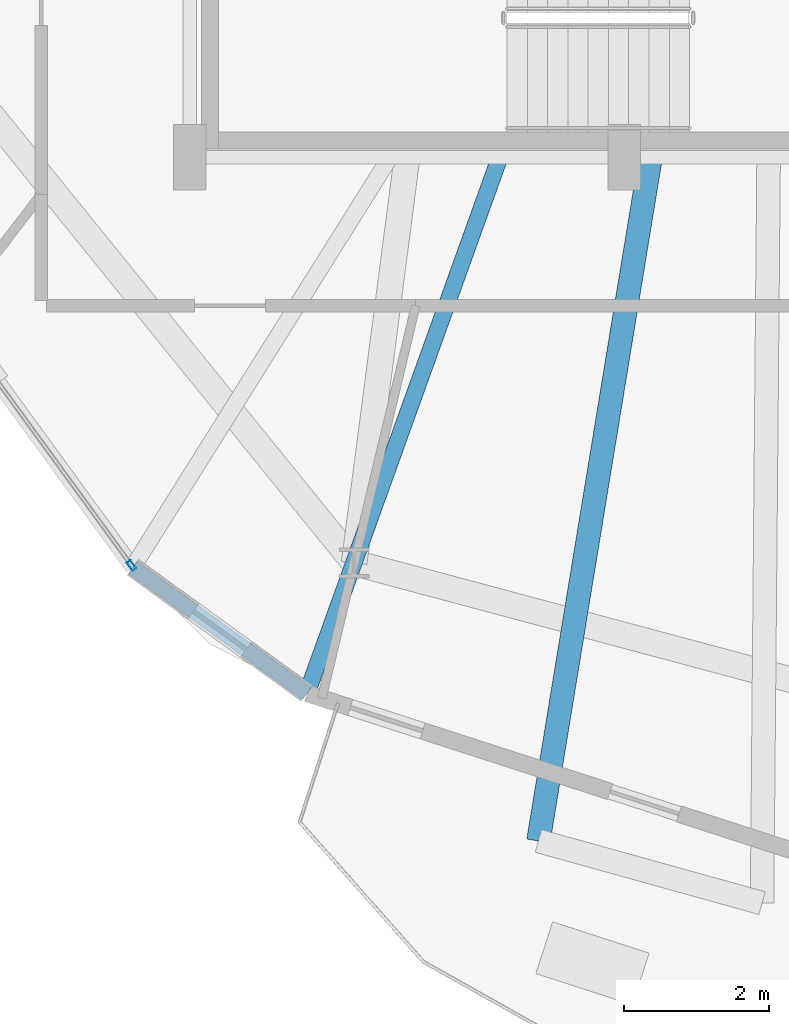
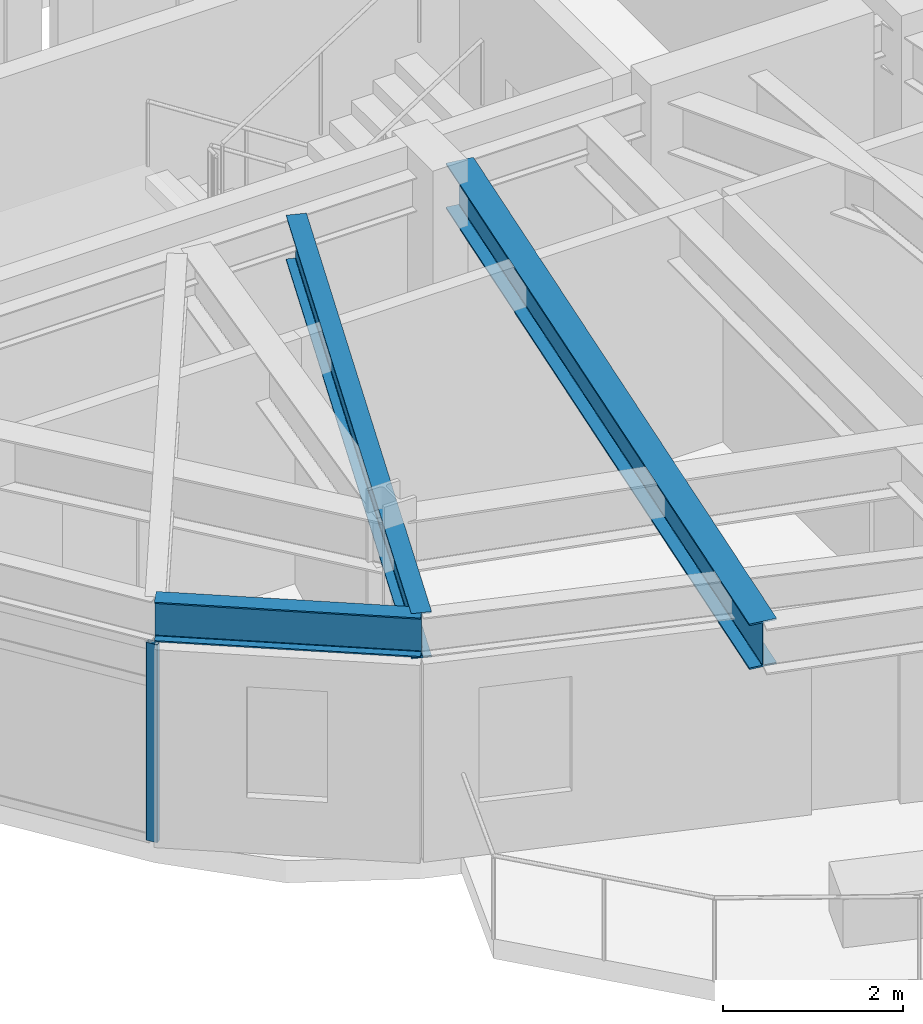
# One storey, part 2 of 31: 3 beams, 1 member, 1 element without a shape of its own.
"""IFC4 building model written with IfcOpenShell, lengths in metres."""

import ifcopenshell
import ifcopenshell.guid

model = None  # the IFC model being written
_history = None  # IfcOwnerHistory: only IFC2X3 demands one
_inside = {}  # id of a spatial element -> (the spatial element, [elements in it])
_under = {}  # id of a project, library or spatial element -> (it, [spatial elements below it])
_declared = {}  # id of a project -> (the project, [libraries it declares])
_typed = {}  # id of a type object -> (the type object, [elements of that type])
_made_of = {}  # id of a material, layer set ... -> (it, [elements and type objects made of it])


def new_model(schema):
    """Start an empty IFC model of exactly this schema.

    Asked for "IFC4X3", IfcOpenShell would pick the latest addendum, in which some entities
    have other attributes; the version numbers below select the first issue.
    IFC2X3 requires an IfcOwnerHistory on every rooted entity: one is made here for all.
    """
    global model, _history
    if schema == "IFC4X3":
        model = ifcopenshell.file(schema_version=(4, 3, 0, 0))
    else:
        model = ifcopenshell.file(schema=schema)
    _inside.clear()
    _under.clear()
    _declared.clear()
    _typed.clear()
    _made_of.clear()
    _history = None
    if model.schema == "IFC2X3":
        org = make("IfcOrganization", Name="unknown")
        user = make(
            "IfcPersonAndOrganization",
            ThePerson=make("IfcPerson", FamilyName="unknown"),
            TheOrganization=org,
        )
        app = make(
            "IfcApplication",
            ApplicationDeveloper=org,
            Version="unknown",
            ApplicationFullName="unknown",
            ApplicationIdentifier="unknown",
        )
        _history = make(
            "IfcOwnerHistory",
            OwningUser=user,
            OwningApplication=app,
            ChangeAction="ADDED",
            CreationDate=0,
        )
    return model


def make(cls, **values):
    """One entity of the class cls with the attributes given. An attribute that is None is left unset."""
    return model.create_entity(
        cls, **{name: value for name, value in values.items() if value is not None}
    )


def rooted(cls, **values):
    """An entity with a GlobalId (a new one), such as an element, a storey or a relation."""
    return make(cls, GlobalId=ifcopenshell.guid.new(), OwnerHistory=_history, **values)


def si_unit(unit_type, name, prefix=None):
    """IfcSIUnit, for example si_unit("LENGTHUNIT", "METRE", prefix="MILLI")."""
    return make("IfcSIUnit", UnitType=unit_type, Prefix=prefix, Name=name)


def assignment(units):
    """IfcUnitAssignment: the units of a project."""
    return None if units is None else make("IfcUnitAssignment", Units=units)


def point(xyz):
    """IfcCartesianPoint."""
    return None if xyz is None else make("IfcCartesianPoint", Coordinates=xyz)


def direction(xyz):
    """IfcDirection."""
    return None if xyz is None else make("IfcDirection", DirectionRatios=xyz)


def frame(location, z_axis=None, x_axis=None):
    """IfcAxis2Placement3D, a coordinate frame: its origin and axes. An axis left out is left unset."""
    return make(
        "IfcAxis2Placement3D",
        Location=point(location),
        Axis=direction(z_axis),
        RefDirection=direction(x_axis),
    )


def frame_2d(location, x_axis=None):
    """IfcAxis2Placement2D, a coordinate frame in the plane: its origin and x axis."""
    return make(
        "IfcAxis2Placement2D", Location=point(location), RefDirection=direction(x_axis)
    )


def origin():
    """The frame at (0, 0, 0) with its axes left unset."""
    return frame((0.0, 0.0, 0.0))


def origin_2d():
    """The frame at (0, 0) in the plane with its x axis left unset."""
    return frame_2d((0.0, 0.0))


def place(relative_to, where):
    """IfcLocalPlacement: puts the frame where relative to a parent placement (None: the world)."""
    return make(
        "IfcLocalPlacement", PlacementRelTo=relative_to, RelativePlacement=where
    )


def context(
    kind, dimensions, precision=None, world=None, true_north=None, identifier=None
):
    """IfcGeometricRepresentationContext, for example the 3D "Model" context."""
    return make(
        "IfcGeometricRepresentationContext",
        ContextIdentifier=identifier,
        ContextType=kind,
        CoordinateSpaceDimension=dimensions,
        Precision=precision,
        WorldCoordinateSystem=world,
        TrueNorth=true_north,
    )


def subcontext(parent, identifier, kind, view, scale=None):
    """IfcGeometricRepresentationSubContext, for example "Body" below "Model"."""
    return make(
        "IfcGeometricRepresentationSubContext",
        ContextIdentifier=identifier,
        ContextType=kind,
        ParentContext=parent,
        TargetScale=scale,
        TargetView=view,
    )


def project(units=None, contexts=None):
    """IfcProject with its units and contexts."""
    return rooted(
        "IfcProject",
        Name="project",
        RepresentationContexts=contexts,
        UnitsInContext=assignment(units),
    )


def spatial(cls, under=None, at=None, **own):
    """A site, building, storey or space (cls), placed at a placement, below another one or the project."""
    s = rooted(cls, ObjectPlacement=at, **own)
    if under is not None:
        _under.setdefault(under.id(), (under, []))[1].append(s)
    return s


def profile(cls, at=None, kind="AREA", **sizes):
    """A parametric profile (cls). Its sizes go by their IFC names, for example OverallWidth=200.0."""
    return make(cls, ProfileType=kind, Position=at, **sizes)


def hollow_rectangle(**sizes):
    """IfcRectangleHollowProfileDef."""
    return profile("IfcRectangleHollowProfileDef", **sizes)


def i_section(**sizes):
    """IfcIShapeProfileDef."""
    return profile("IfcIShapeProfileDef", **sizes)


def extrude(swept, where, along, depth):
    """IfcExtrudedAreaSolid: the profile swept, set in the frame where, extruded along a direction by depth."""
    return make(
        "IfcExtrudedAreaSolid",
        SweptArea=swept,
        Position=where,
        ExtrudedDirection=direction(along),
        Depth=depth,
    )


def shape(context_of_items, identifier, shape_type, items):
    """IfcShapeRepresentation: the items that make up one representation, for example the "Body"."""
    return make(
        "IfcShapeRepresentation",
        ContextOfItems=context_of_items,
        RepresentationIdentifier=identifier,
        RepresentationType=shape_type,
        Items=items,
    )


def material(Name=None, Category=None):
    """IfcMaterial."""
    return make("IfcMaterial", Name=Name, Category=Category)


def layer(
    of_material, thickness, ventilated=None, Name=None, Category=None, Priority=None
):
    """IfcMaterialLayer: one layer of a wall or slab, of a material (None: an air gap)."""
    return make(
        "IfcMaterialLayer",
        Material=of_material,
        LayerThickness=thickness,
        IsVentilated=ventilated,
        Name=Name,
        Category=Category,
        Priority=Priority,
    )


def layer_set(layers, Name=None):
    """IfcMaterialLayerSet."""
    return make("IfcMaterialLayerSet", MaterialLayers=layers, LayerSetName=Name)


def material_profile(
    of_material, cross_section, Name=None, Category=None, Priority=None
):
    """IfcMaterialProfile: a cross section and its material."""
    return make(
        "IfcMaterialProfile",
        Name=Name,
        Material=of_material,
        Profile=cross_section,
        Priority=Priority,
        Category=Category,
    )


def profile_set(profiles, Name=None, composite=None):
    """IfcMaterialProfileSet."""
    return make(
        "IfcMaterialProfileSet",
        Name=Name,
        MaterialProfiles=profiles,
        CompositeProfile=composite,
    )


def made_of(thing, what):
    """Note that an element or type object is made of a material, layer set ...; save() writes the relation."""
    if what is not None:
        _made_of.setdefault(what.id(), (what, []))[1].append(thing)
    return thing


def type_object(cls, material=None, **own):
    """A type object (cls), such as IfcWallType, which elements share."""
    return made_of(rooted(cls, **own), material)


def element(
    cls,
    number,
    at=None,
    inside=None,
    cuts=None,
    type_object=None,
    material=None,
    context=None,
    identifier="Body",
    shape_type=None,
    held_by="IfcProductDefinitionShape",
    body=None,
    shapes=None,
    **own,
):
    """One element of the class cls, such as IfcWall. Its Tag is "e" and its number.

    at: its placement. inside: the storey or other place that contains it. cuts: it is an
    opening in that element (IfcRelVoidsElement). A single representation is given by context,
    identifier, shape_type and body (its items); several are given by shapes. held_by: the class
    of the entity that holds the representations. save() writes the other relations.
    """
    e = rooted(cls, Tag="e%d" % number, ObjectPlacement=at, **own)
    if body is not None:
        shapes = [shape(context, identifier, shape_type, body)]
    if shapes is not None:
        e.Representation = make(held_by, Representations=shapes)
    if inside is not None:
        _inside.setdefault(inside.id(), (inside, []))[1].append(e)
    if cuts is not None:
        rooted(
            "IfcRelVoidsElement", RelatingBuildingElement=cuts, RelatedOpeningElement=e
        )
    if type_object is not None:
        _typed.setdefault(type_object.id(), (type_object, []))[1].append(e)
    return made_of(e, material)


def aggregate(whole, parts):
    """IfcRelAggregates: a whole, such as a stair, and the parts it consists of."""
    return rooted("IfcRelAggregates", RelatingObject=whole, RelatedObjects=parts)


def save(model, path):
    """Write the relations noted so far, then the file.

    IfcRelAggregates (storeys below a building ...), IfcRelContainedInSpatialStructure (elements
    in a storey), IfcRelDefinesByType, IfcRelAssociatesMaterial and IfcRelDeclares: one each for
    every whole, place, type object, material and project.
    """
    for whole, parts in _under.values():
        aggregate(whole, parts)
    for where, things in _inside.values():
        rooted(
            "IfcRelContainedInSpatialStructure",
            RelatedElements=things,
            RelatingStructure=where,
        )
    for kind, things in _typed.values():
        rooted("IfcRelDefinesByType", RelatedObjects=things, RelatingType=kind)
    for what, things in _made_of.values():
        rooted("IfcRelAssociatesMaterial", RelatedObjects=things, RelatingMaterial=what)
    for by, libraries in _declared.values():
        rooted("IfcRelDeclares", RelatingContext=by, RelatedDefinitions=libraries)
    model.write(path)


model = new_model("IFC4")

# Units and contexts
model_context = context("Model", 3, precision=1e-05, world=origin(), true_north=direction((0.0, 1.0)))
body_context = subcontext(model_context, "Body", "Model", "MODEL_VIEW")
ifc_project = project(units=[si_unit("LENGTHUNIT", "METRE"), si_unit("AREAUNIT", "SQUARE_METRE"), si_unit("VOLUMEUNIT", "CUBIC_METRE"), si_unit("PLANEANGLEUNIT", "RADIAN"), si_unit("MASSUNIT", "GRAM", prefix="KILO")], contexts=[model_context])

# Site, building, storey
site_placement = place(None, origin())
site = spatial("IfcSite", under=ifc_project, at=site_placement, CompositionType="ELEMENT")
building_placement = place(site_placement, origin())
building = spatial("IfcBuilding", under=site, at=building_placement, Name="Soratama Intermodal Tower", CompositionType="ELEMENT")
storey_placement = place(building_placement, frame((0.0, 0.0, 230.199951171875)))
storey = spatial("IfcBuildingStorey", under=building, at=storey_placement, Name="L58", CompositionType="ELEMENT", Elevation=230.199951171875)

# Beams
ifc_material_1 = material(Name="Structural steel ASTM A992 Grade 50", Category="steel")
ifc_material_profile_1 = material_profile(ifc_material_1, i_section(OverallWidth=0.324951171875, OverallDepth=0.615966796875, WebThickness=0.013916015625, FlangeThickness=0.021484375, FilletRadius=0.013916015625, at=origin_2d()), Name="W24X117")
ifc_profile_set_1 = profile_set([ifc_material_profile_1], Name="Structural steel ASTM A992 Grade 50")
beam_type_1 = type_object("IfcBeamType", Name="BM-CANT-W24X117", PredefinedType="BEAM", material=ifc_profile_set_1)
beam_1_placement = place(storey_placement, frame((38.9560546875, 14.9609375, 2.991943359375), z_axis=(-0.161995993233, -0.986791415739, 0.0), x_axis=(0.986791415739, -0.161995993233, 0.0)))
element("IfcBeam", 1, at=beam_1_placement, inside=storey, type_object=beam_type_1, Name="BM-L58-CANT-3-1", PredefinedType="BEAM", context=body_context, shape_type="SweptSolid", body=[
    extrude(i_section(OverallWidth=0.324951171875, OverallDepth=0.615966796875, WebThickness=0.013916015625, FlangeThickness=0.021484375, FilletRadius=0.013916015625, at=origin_2d()), origin(), (0.0, 0.0, 1.0), 9.524658203125),
])
ifc_material_2 = material(Name="Structural steel ASTM A992 Grade 50", Category="steel")
ifc_material_profile_2 = material_profile(ifc_material_2, i_section(OverallWidth=0.2099609375, OverallDepth=0.537109375, WebThickness=0.010986328125, FlangeThickness=0.017333984375, FilletRadius=0.012939453125, at=origin_2d()), Name="W21X68")
ifc_profile_set_2 = profile_set([ifc_material_profile_2], Name="Structural steel ASTM A992 Grade 50")
beam_type_2 = type_object("IfcBeamType", Name="BM-SPN-W21X68", PredefinedType="SPANDREL", material=ifc_profile_set_2)
beam_2_placement = place(storey_placement, frame((31.81494140625, 9.339111328125, 3.031494140625), z_axis=(0.809660300474, -0.586898796929, 0.0), x_axis=(0.586898796929, 0.809660300474, 0.0)))
element("IfcBeam", 2, at=beam_2_placement, inside=storey, type_object=beam_type_2, Name="BS-L58-CRN05", PredefinedType="SPANDREL", context=body_context, shape_type="SweptSolid", body=[
    extrude(i_section(OverallWidth=0.2099609375, OverallDepth=0.537109375, WebThickness=0.010986328125, FlangeThickness=0.017333984375, FilletRadius=0.012939453125, at=origin_2d()), origin(), (0.0, 0.0, 1.0), 2.966796875),
])
ifc_material_3 = material(Name="Structural steel ASTM A992 Grade 50", Category="steel")
ifc_material_profile_3 = material_profile(ifc_material_3, i_section(OverallWidth=0.22900390625, OverallDepth=0.612060546875, WebThickness=0.011962890625, FlangeThickness=0.01953125, FilletRadius=0.012939453125, at=origin_2d()), Name="W24X84")
ifc_profile_set_3 = profile_set([ifc_material_profile_3], Name="Structural steel ASTM A992 Grade 50")
beam_type_3 = type_object("IfcBeamType", Name="BM-TIE-W24X84", PredefinedType="BEAM", material=ifc_profile_set_3)
beam_3_placement = place(storey_placement, frame((36.865966796875, 14.9619140625, 2.994140625), z_axis=(-0.338479740749, -0.940973679282, 0.0), x_axis=(0.940973679282, -0.338479740749, 0.0)))
element("IfcBeam", 3, at=beam_3_placement, inside=storey, type_object=beam_type_3, Name="BM-L58-TIE0-06", PredefinedType="BEAM", context=body_context, shape_type="SweptSolid", body=[
    extrude(i_section(OverallWidth=0.22900390625, OverallDepth=0.612060546875, WebThickness=0.011962890625, FlangeThickness=0.01953125, FilletRadius=0.012939453125, at=origin_2d()), origin(), (0.0, 0.0, 1.0), 7.825927734375),
])

# Curtain wall, member
ifc_material_4 = material(Name="Double-glazed aluminium curtain wall", Category="aluminium")
ifc_layer = layer(ifc_material_4, 0.159912109375)
ifc_layer_set = layer_set([ifc_layer], Name="Double-glazed aluminium curtain wall")
curtain_wall_type = type_object("IfcCurtainWallType", Name="CW-SYS-5", PredefinedType="NOTDEFINED", material=ifc_layer_set)
curtain_wall_placement = place(storey_placement, origin())
curtain_wall = element("IfcCurtainWall", 4, at=curtain_wall_placement, inside=storey, type_object=curtain_wall_type, Name="L58 Faceted Curtain Wall F05", PredefinedType="NOTDEFINED")
ifc_material_5 = material(Name="Anodised aluminium AA 6063-T6", Category="aluminium")
ifc_material_profile_4 = material_profile(ifc_material_5, hollow_rectangle(XDim=0.06494140625, YDim=0.139892578125, WallThickness=0.0048828125, InnerFilletRadius=0.0048828125, OuterFilletRadius=0.010009765625, at=origin_2d()), Name="CWM140X65X5")
ifc_profile_set_4 = profile_set([ifc_material_profile_4], Name="Anodised aluminium AA 6063-T6")
member_type = type_object("IfcMemberType", Name="MT-CWM-5", PredefinedType="MULLION", material=ifc_profile_set_4)
member_placement = place(storey_placement, frame((31.79736328125, 9.36376953125, 0.0), z_axis=(0.0, 0.0, 1.0), x_axis=(0.808395658706, 0.588639498323, 0.0)))
member = element("IfcMember", 5, at=member_placement, type_object=member_type, Name="CW-5 mullion 3", PredefinedType="MULLION", context=body_context, shape_type="SweptSolid", body=[
    extrude(hollow_rectangle(XDim=0.06494140625, YDim=0.139892578125, WallThickness=0.0048828125, InnerFilletRadius=0.0048828125, OuterFilletRadius=0.010009765625, at=origin_2d()), origin(), (0.0, 0.0, 1.0), 2.678955078125),
])
aggregate(curtain_wall, [member])

save(model, "model.ifc")
